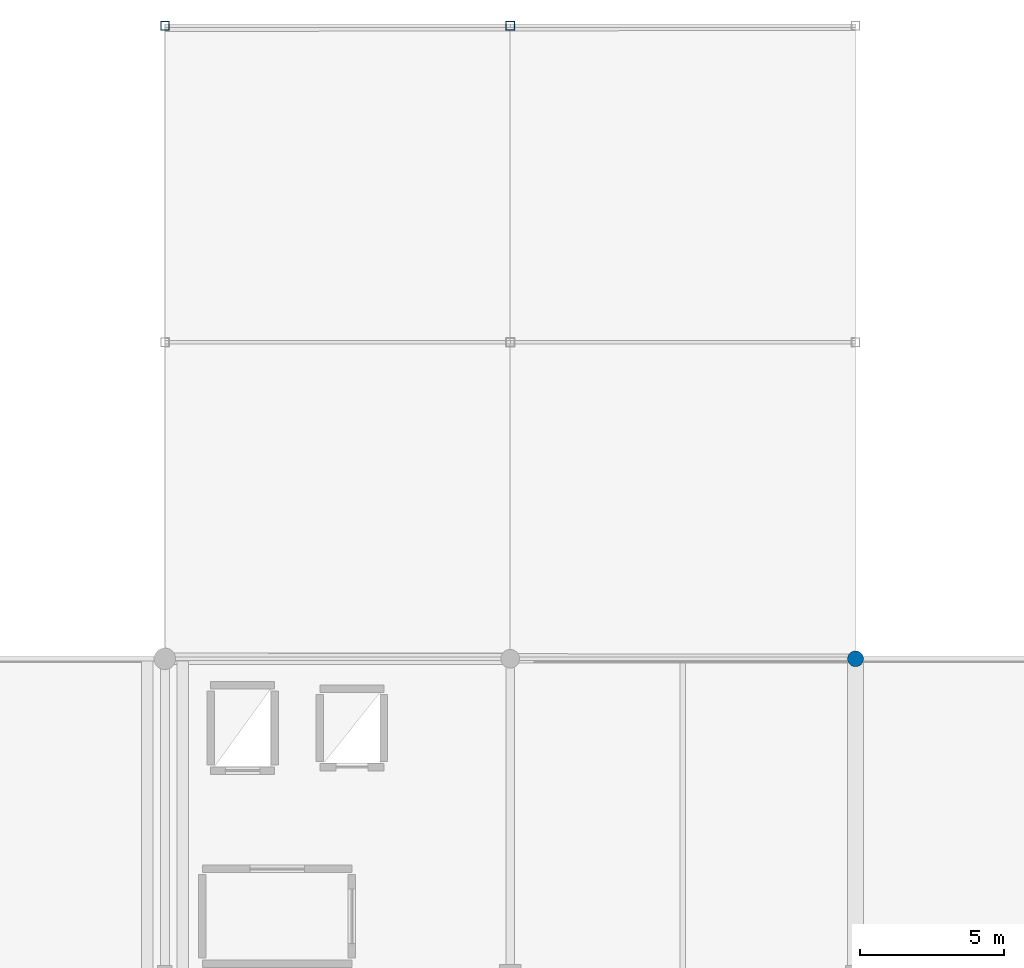
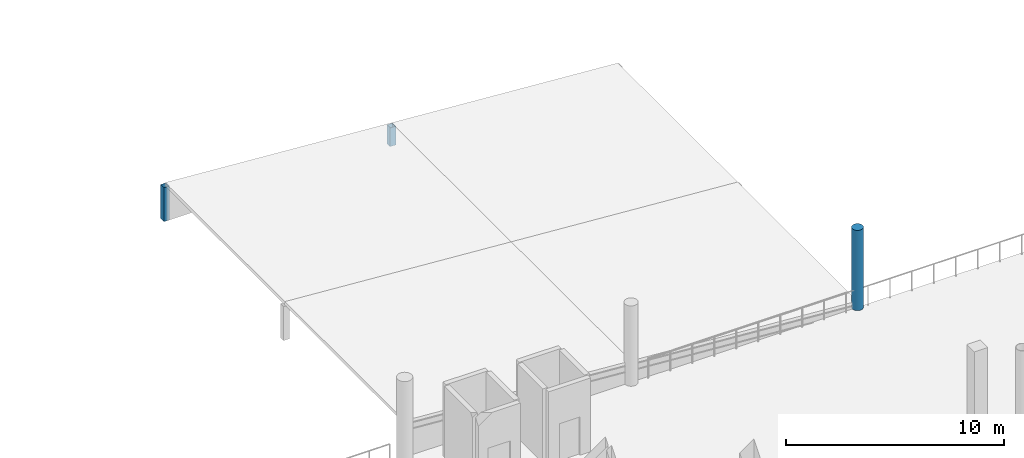
# One storey, part 11 of 118: 3 columns.
"""IFC4 building model written with IfcOpenShell, lengths in metres."""

from ifc_helpers import new_model, si_unit, direction, frame, origin, origin_2d, place, context, subcontext, project, spatial, hollow_rectangle, circle, extrude, material, material_profile, profile_set, type_object, element, save


model = new_model("IFC4")

# Units and contexts
model_context = context("Model", 3, precision=1e-05, world=origin(), true_north=direction((0.0, 1.0)))
body_context = subcontext(model_context, "Body", "Model", "MODEL_VIEW")
ifc_project = project(units=[si_unit("LENGTHUNIT", "METRE"), si_unit("AREAUNIT", "SQUARE_METRE"), si_unit("VOLUMEUNIT", "CUBIC_METRE"), si_unit("PLANEANGLEUNIT", "RADIAN"), si_unit("MASSUNIT", "GRAM", prefix="KILO")], contexts=[model_context])

# Site, building, storey
site_placement = place(None, origin())
site = spatial("IfcSite", under=ifc_project, at=site_placement, CompositionType="ELEMENT")
building_placement = place(site_placement, origin())
building = spatial("IfcBuilding", under=site, at=building_placement, Name="Luwafu Chhajja Arena", CompositionType="ELEMENT")
storey_placement = place(building_placement, frame((0.0, 0.0, 10.199951171875)))
storey = spatial("IfcBuildingStorey", under=building, at=storey_placement, Name="L02", CompositionType="ELEMENT", Elevation=10.199951171875)

# Columns
ifc_material_1 = material(Name="Steel S355", Category="steel")
ifc_material_profile_1 = material_profile(ifc_material_1, hollow_rectangle(XDim=0.300048828125, YDim=0.300048828125, WallThickness=0.01611328125, at=origin_2d()), Name="SHS 300x300x16")
ifc_profile_set_1 = profile_set([ifc_material_profile_1], Name="Steel S355")
column_type_1 = type_object("IfcColumnType", Name="Steel Gallery Post SHS 300", PredefinedType="COLUMN", material=ifc_profile_set_1)
column_1_placement = place(storey_placement, frame((34.0, 121.0, 0.0), z_axis=(0.0, 0.0, 1.0), x_axis=(1.0, 0.0, 0.0)))
element("IfcColumn", 1, at=column_1_placement, inside=storey, type_object=column_type_1, Name="L02 Cloister Post 3/11A", PredefinedType="COLUMN", context=body_context, shape_type="SweptSolid", body=[
    extrude(hollow_rectangle(XDim=0.300048828125, YDim=0.300048828125, WallThickness=0.01611328125, at=origin_2d()), origin(), (0.0, 0.0, 1.0), 1.900146484375),
])
column_2_placement = place(storey_placement, frame((46.0, 121.0, 0.0), z_axis=(0.0, 0.0, 1.0), x_axis=(1.0, 0.0, 0.0)))
element("IfcColumn", 2, at=column_2_placement, inside=storey, type_object=column_type_1, Name="L02 Cloister Post 3/11B", PredefinedType="COLUMN", context=body_context, shape_type="SweptSolid", body=[
    extrude(hollow_rectangle(XDim=0.300048828125, YDim=0.300048828125, WallThickness=0.01611328125, at=origin_2d()), origin(), (0.0, 0.0, 1.0), 1.050048828125),
])
ifc_material_2 = material(Name="Concrete C35/45", Category="concrete")
ifc_material_profile_2 = material_profile(ifc_material_2, circle(Radius=0.27490234375, at=origin_2d()), Name="RC COL D550")
ifc_profile_set_2 = profile_set([ifc_material_profile_2], Name="Concrete C35/45")
column_type_2 = type_object("IfcColumnType", Name="Terrace Loggia Pier D550", PredefinedType="COLUMN", material=ifc_profile_set_2)
column_3_placement = place(storey_placement, frame((58.0, 99.0, 0.0), z_axis=(0.0, 0.0, 1.0), x_axis=(1.0, 0.0, 0.0)))
element("IfcColumn", 3, at=column_3_placement, inside=storey, type_object=column_type_2, Name="L02 Grid Column 6/K", PredefinedType="COLUMN", context=body_context, shape_type="SweptSolid", body=[
    extrude(circle(Radius=0.27490234375, at=origin_2d()), origin(), (0.0, 0.0, 1.0), 4.5),
])

save(model, "model.ifc")
